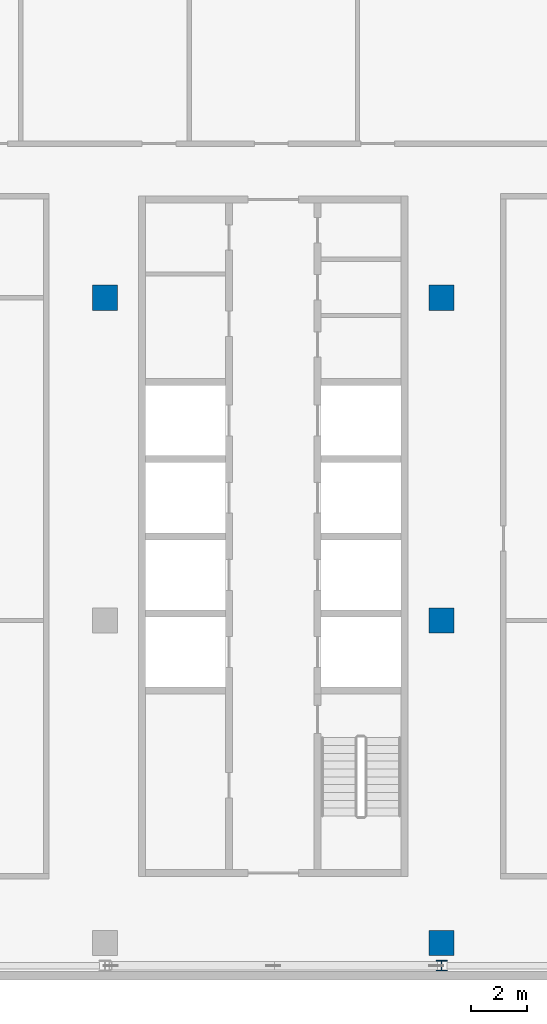
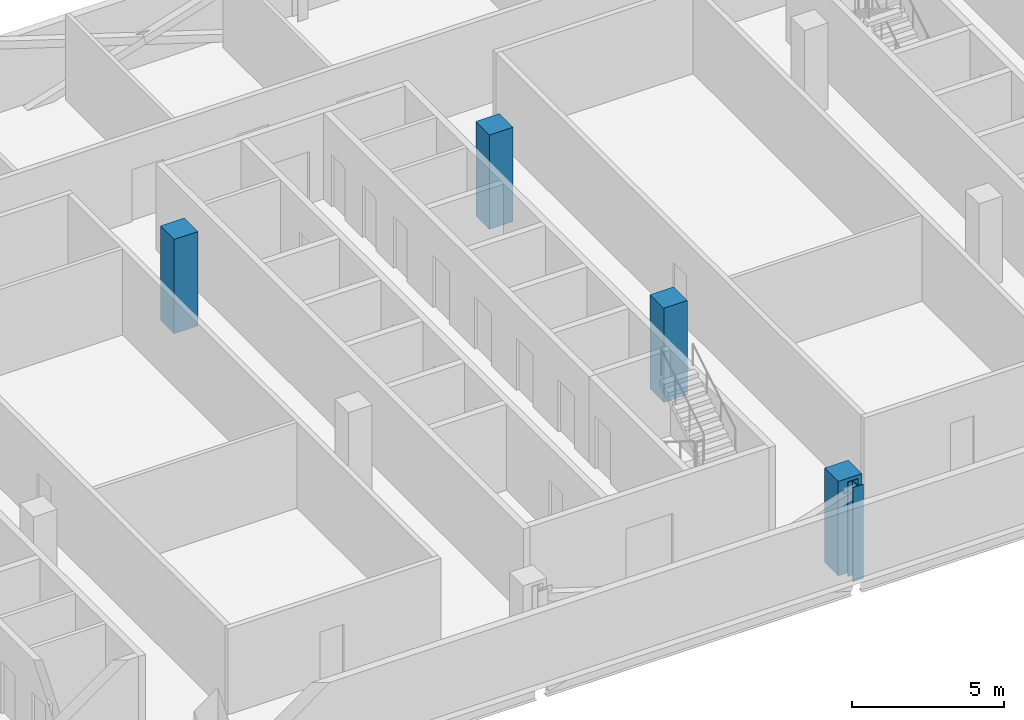
# One storey, part 2 of 25: 5 columns.
"""IFC4 building model written with IfcOpenShell, lengths in metres."""

from ifc_helpers import new_model, si_unit, direction, frame, origin, origin_2d, place, context, subcontext, project, spatial, rectangle, i_section, extrude, material, material_profile, profile_set, type_object, element, save


model = new_model("IFC4")

# Units and contexts
model_context = context("Model", 3, precision=1e-05, world=origin(), true_north=direction((0.0, 1.0)))
body_context = subcontext(model_context, "Body", "Model", "MODEL_VIEW")
ifc_project = project(units=[si_unit("LENGTHUNIT", "METRE"), si_unit("AREAUNIT", "SQUARE_METRE"), si_unit("VOLUMEUNIT", "CUBIC_METRE"), si_unit("PLANEANGLEUNIT", "RADIAN"), si_unit("MASSUNIT", "GRAM", prefix="KILO")], contexts=[model_context])

# Site, building, storey
site_placement = place(None, origin())
site = spatial("IfcSite", under=ifc_project, at=site_placement, CompositionType="ELEMENT")
building_placement = place(site_placement, origin())
building = spatial("IfcBuilding", under=site, at=building_placement, Name="Mahtab Terrace Research Tower", CompositionType="ELEMENT")
storey_placement = place(building_placement, frame((0.0, 0.0, 278.5)))
storey = spatial("IfcBuildingStorey", under=building, at=storey_placement, Name="L68", CompositionType="ELEMENT", Elevation=278.5)

# Columns
ifc_material_1 = material(Name="Concrete C70/85", Category="concrete")
ifc_material_profile_1 = material_profile(ifc_material_1, rectangle(XDim=0.89990234375, YDim=0.89990234375, at=origin_2d()), Name="RC column 900x900")
ifc_profile_set_1 = profile_set([ifc_material_profile_1], Name="Concrete C70/85")
column_type_1 = type_object("IfcColumnType", Name="RC column 900x900", PredefinedType="COLUMN", material=ifc_profile_set_1)
for number, where, z_axis, x_axis, name in (
    (1, (-6.0, 11.5, -0.340087890625), (0.0, 0.0, 1.0), (1.0, 0.0, 0.0), "Column RC-4C L68"),
    (2, (6.0, -11.5, -0.340087890625), (0.0, 0.0, 1.0), (1.0, 0.0, 0.0), "Column RC-5A L68"),
    (3, (6.0, 0.0, -0.340087890625), (0.0, 0.0, 1.0), (1.0, 0.0, 0.0), "Column RC-5B L68"),
    (4, (6.0, 11.5, -0.340087890625), (0.0, 0.0, 1.0), (1.0, 0.0, 0.0), "Column RC-5C L68"),
):
    element("IfcColumn", number, at=place(storey_placement, frame(where, z_axis=z_axis, x_axis=x_axis)), inside=storey, type_object=column_type_1, Name=name, PredefinedType="COLUMN", context=body_context, shape_type="SweptSolid", body=[
        extrude(rectangle(XDim=0.89990234375, YDim=0.89990234375, at=origin_2d()), origin(), (0.0, 0.0, 1.0), 3.800048828125),
    ])
ifc_material_2 = material(Name="Steel ASTM A992 Gr 50", Category="steel")
ifc_material_profile_2 = material_profile(ifc_material_2, i_section(OverallWidth=0.393798828125, OverallDepth=0.3759765625, WebThickness=0.017333984375, FlangeThickness=0.027587890625, at=origin_2d()), Name="W14X145")
ifc_profile_set_2 = profile_set([ifc_material_profile_2], Name="Steel ASTM A992 Gr 50")
column_type_2 = type_object("IfcColumnType", Name="W14x145 column CS14145", PredefinedType="COLUMN", material=ifc_profile_set_2)
column_placement = place(storey_placement, frame((6.0, -12.306884765625, -0.340087890625), z_axis=(0.0, 0.0, 1.0), x_axis=(1.0, 0.0, 0.0)))
element("IfcColumn", 5, at=column_placement, inside=storey, type_object=column_type_2, Name="Column SC-085 L68", PredefinedType="COLUMN", context=body_context, shape_type="SweptSolid", body=[
    extrude(i_section(OverallWidth=0.393798828125, OverallDepth=0.3759765625, WebThickness=0.017333984375, FlangeThickness=0.027587890625, at=origin_2d()), origin(), (0.0, 0.0, 1.0), 3.800048828125),
])

save(model, "model.ifc")
